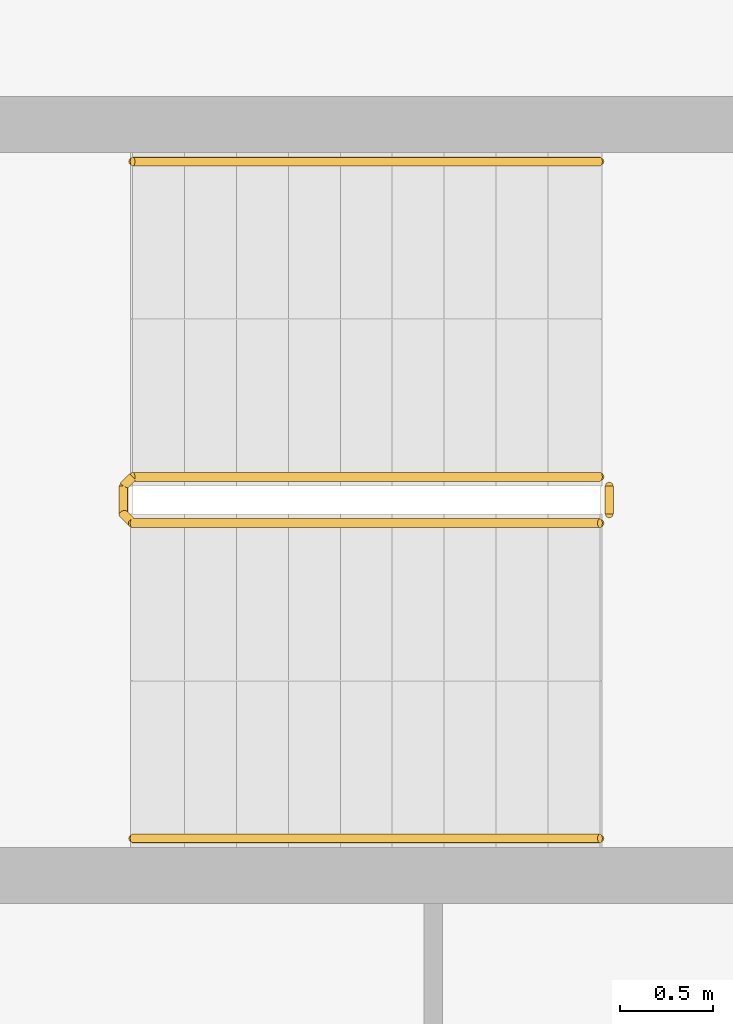
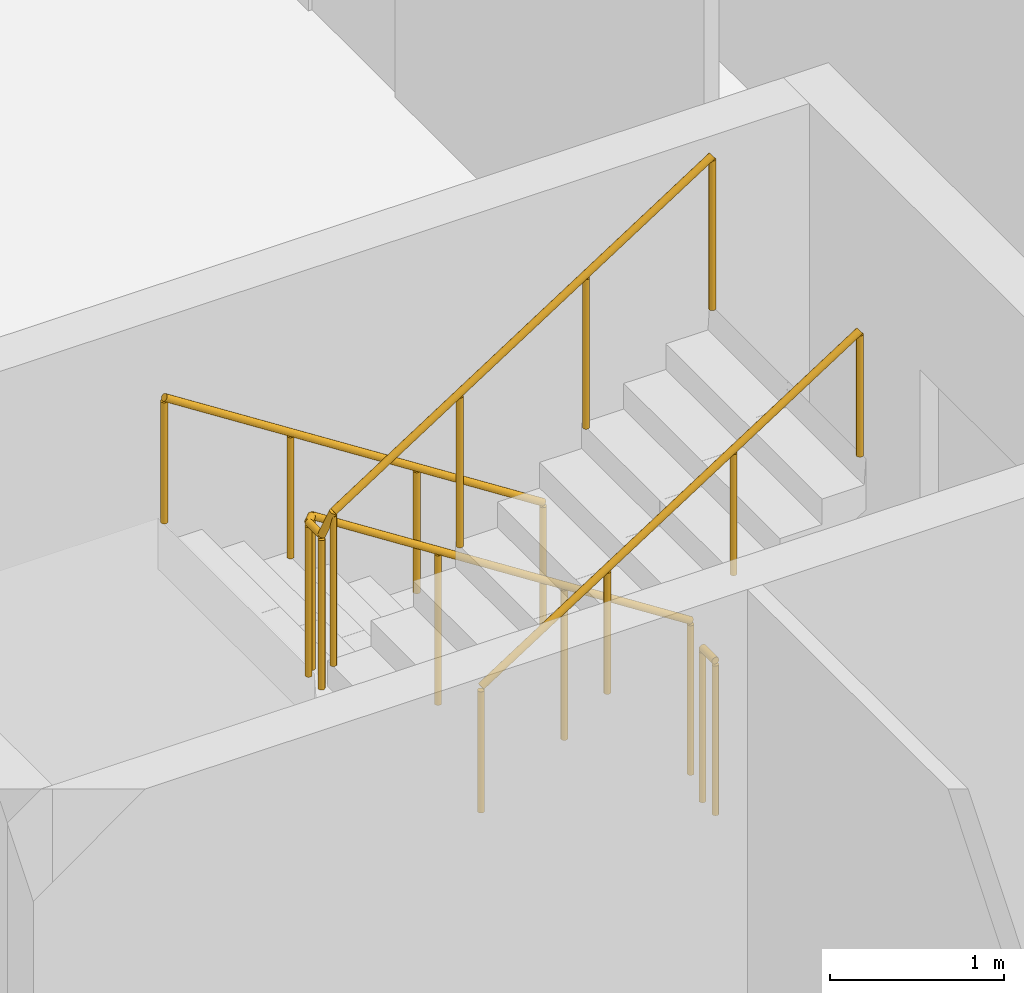
# One storey, part 21 of 24: 4 railings.
"""IFC4 building model written with IfcOpenShell, lengths in metres."""

import ifcopenshell
import ifcopenshell.guid

model = None  # the IFC model being written
_history = None  # IfcOwnerHistory: only IFC2X3 demands one
_inside = {}  # id of a spatial element -> (the spatial element, [elements in it])
_under = {}  # id of a project, library or spatial element -> (it, [spatial elements below it])
_declared = {}  # id of a project -> (the project, [libraries it declares])
_typed = {}  # id of a type object -> (the type object, [elements of that type])
_made_of = {}  # id of a material, layer set ... -> (it, [elements and type objects made of it])


def new_model(schema):
    """Start an empty IFC model of exactly this schema.

    Asked for "IFC4X3", IfcOpenShell would pick the latest addendum, in which some entities
    have other attributes; the version numbers below select the first issue.
    IFC2X3 requires an IfcOwnerHistory on every rooted entity: one is made here for all.
    """
    global model, _history
    if schema == "IFC4X3":
        model = ifcopenshell.file(schema_version=(4, 3, 0, 0))
    else:
        model = ifcopenshell.file(schema=schema)
    _inside.clear()
    _under.clear()
    _declared.clear()
    _typed.clear()
    _made_of.clear()
    _history = None
    if model.schema == "IFC2X3":
        org = make("IfcOrganization", Name="unknown")
        user = make(
            "IfcPersonAndOrganization",
            ThePerson=make("IfcPerson", FamilyName="unknown"),
            TheOrganization=org,
        )
        app = make(
            "IfcApplication",
            ApplicationDeveloper=org,
            Version="unknown",
            ApplicationFullName="unknown",
            ApplicationIdentifier="unknown",
        )
        _history = make(
            "IfcOwnerHistory",
            OwningUser=user,
            OwningApplication=app,
            ChangeAction="ADDED",
            CreationDate=0,
        )
    return model


def make(cls, **values):
    """One entity of the class cls with the attributes given. An attribute that is None is left unset."""
    return model.create_entity(
        cls, **{name: value for name, value in values.items() if value is not None}
    )


def rooted(cls, **values):
    """An entity with a GlobalId (a new one), such as an element, a storey or a relation."""
    return make(cls, GlobalId=ifcopenshell.guid.new(), OwnerHistory=_history, **values)


def si_unit(unit_type, name, prefix=None):
    """IfcSIUnit, for example si_unit("LENGTHUNIT", "METRE", prefix="MILLI")."""
    return make("IfcSIUnit", UnitType=unit_type, Prefix=prefix, Name=name)


def assignment(units):
    """IfcUnitAssignment: the units of a project."""
    return None if units is None else make("IfcUnitAssignment", Units=units)


def point(xyz):
    """IfcCartesianPoint."""
    return None if xyz is None else make("IfcCartesianPoint", Coordinates=xyz)


def direction(xyz):
    """IfcDirection."""
    return None if xyz is None else make("IfcDirection", DirectionRatios=xyz)


def frame(location, z_axis=None, x_axis=None):
    """IfcAxis2Placement3D, a coordinate frame: its origin and axes. An axis left out is left unset."""
    return make(
        "IfcAxis2Placement3D",
        Location=point(location),
        Axis=direction(z_axis),
        RefDirection=direction(x_axis),
    )


def frame_2d(location, x_axis=None):
    """IfcAxis2Placement2D, a coordinate frame in the plane: its origin and x axis."""
    return make(
        "IfcAxis2Placement2D", Location=point(location), RefDirection=direction(x_axis)
    )


def origin():
    """The frame at (0, 0, 0) with its axes left unset."""
    return frame((0.0, 0.0, 0.0))


def origin_2d():
    """The frame at (0, 0) in the plane with its x axis left unset."""
    return frame_2d((0.0, 0.0))


def place(relative_to, where):
    """IfcLocalPlacement: puts the frame where relative to a parent placement (None: the world)."""
    return make(
        "IfcLocalPlacement", PlacementRelTo=relative_to, RelativePlacement=where
    )


def context(
    kind, dimensions, precision=None, world=None, true_north=None, identifier=None
):
    """IfcGeometricRepresentationContext, for example the 3D "Model" context."""
    return make(
        "IfcGeometricRepresentationContext",
        ContextIdentifier=identifier,
        ContextType=kind,
        CoordinateSpaceDimension=dimensions,
        Precision=precision,
        WorldCoordinateSystem=world,
        TrueNorth=true_north,
    )


def subcontext(parent, identifier, kind, view, scale=None):
    """IfcGeometricRepresentationSubContext, for example "Body" below "Model"."""
    return make(
        "IfcGeometricRepresentationSubContext",
        ContextIdentifier=identifier,
        ContextType=kind,
        ParentContext=parent,
        TargetScale=scale,
        TargetView=view,
    )


def project(units=None, contexts=None):
    """IfcProject with its units and contexts."""
    return rooted(
        "IfcProject",
        Name="project",
        RepresentationContexts=contexts,
        UnitsInContext=assignment(units),
    )


def spatial(cls, under=None, at=None, **own):
    """A site, building, storey or space (cls), placed at a placement, below another one or the project."""
    s = rooted(cls, ObjectPlacement=at, **own)
    if under is not None:
        _under.setdefault(under.id(), (under, []))[1].append(s)
    return s


def profile(cls, at=None, kind="AREA", **sizes):
    """A parametric profile (cls). Its sizes go by their IFC names, for example OverallWidth=200.0."""
    return make(cls, ProfileType=kind, Position=at, **sizes)


def circle(**sizes):
    """IfcCircleProfileDef."""
    return profile("IfcCircleProfileDef", **sizes)


def extrude(swept, where, along, depth):
    """IfcExtrudedAreaSolid: the profile swept, set in the frame where, extruded along a direction by depth."""
    return make(
        "IfcExtrudedAreaSolid",
        SweptArea=swept,
        Position=where,
        ExtrudedDirection=direction(along),
        Depth=depth,
    )


def shape(context_of_items, identifier, shape_type, items):
    """IfcShapeRepresentation: the items that make up one representation, for example the "Body"."""
    return make(
        "IfcShapeRepresentation",
        ContextOfItems=context_of_items,
        RepresentationIdentifier=identifier,
        RepresentationType=shape_type,
        Items=items,
    )


def material(Name=None, Category=None):
    """IfcMaterial."""
    return make("IfcMaterial", Name=Name, Category=Category)


def made_of(thing, what):
    """Note that an element or type object is made of a material, layer set ...; save() writes the relation."""
    if what is not None:
        _made_of.setdefault(what.id(), (what, []))[1].append(thing)
    return thing


def type_object(cls, material=None, **own):
    """A type object (cls), such as IfcWallType, which elements share."""
    return made_of(rooted(cls, **own), material)


def element(
    cls,
    number,
    at=None,
    inside=None,
    cuts=None,
    type_object=None,
    material=None,
    context=None,
    identifier="Body",
    shape_type=None,
    held_by="IfcProductDefinitionShape",
    body=None,
    shapes=None,
    **own,
):
    """One element of the class cls, such as IfcWall. Its Tag is "e" and its number.

    at: its placement. inside: the storey or other place that contains it. cuts: it is an
    opening in that element (IfcRelVoidsElement). A single representation is given by context,
    identifier, shape_type and body (its items); several are given by shapes. held_by: the class
    of the entity that holds the representations. save() writes the other relations.
    """
    e = rooted(cls, Tag="e%d" % number, ObjectPlacement=at, **own)
    if body is not None:
        shapes = [shape(context, identifier, shape_type, body)]
    if shapes is not None:
        e.Representation = make(held_by, Representations=shapes)
    if inside is not None:
        _inside.setdefault(inside.id(), (inside, []))[1].append(e)
    if cuts is not None:
        rooted(
            "IfcRelVoidsElement", RelatingBuildingElement=cuts, RelatedOpeningElement=e
        )
    if type_object is not None:
        _typed.setdefault(type_object.id(), (type_object, []))[1].append(e)
    return made_of(e, material)


def aggregate(whole, parts):
    """IfcRelAggregates: a whole, such as a stair, and the parts it consists of."""
    return rooted("IfcRelAggregates", RelatingObject=whole, RelatedObjects=parts)


def save(model, path):
    """Write the relations noted so far, then the file.

    IfcRelAggregates (storeys below a building ...), IfcRelContainedInSpatialStructure (elements
    in a storey), IfcRelDefinesByType, IfcRelAssociatesMaterial and IfcRelDeclares: one each for
    every whole, place, type object, material and project.
    """
    for whole, parts in _under.values():
        aggregate(whole, parts)
    for where, things in _inside.values():
        rooted(
            "IfcRelContainedInSpatialStructure",
            RelatedElements=things,
            RelatingStructure=where,
        )
    for kind, things in _typed.values():
        rooted("IfcRelDefinesByType", RelatedObjects=things, RelatingType=kind)
    for what, things in _made_of.values():
        rooted("IfcRelAssociatesMaterial", RelatedObjects=things, RelatingMaterial=what)
    for by, libraries in _declared.values():
        rooted("IfcRelDeclares", RelatingContext=by, RelatedDefinitions=libraries)
    model.write(path)


model = new_model("IFC4")

# Units and contexts
model_context = context("Model", 3, precision=1e-05, world=origin(), true_north=direction((0.0, 1.0)))
body_context = subcontext(model_context, "Body", "Model", "MODEL_VIEW")
ifc_project = project(units=[si_unit("LENGTHUNIT", "METRE"), si_unit("AREAUNIT", "SQUARE_METRE"), si_unit("VOLUMEUNIT", "CUBIC_METRE"), si_unit("PLANEANGLEUNIT", "RADIAN"), si_unit("MASSUNIT", "GRAM", prefix="KILO")], contexts=[model_context])

# Site, building, storey
site_placement = place(None, origin())
site = spatial("IfcSite", under=ifc_project, at=site_placement, CompositionType="ELEMENT")
building_placement = place(site_placement, origin())
building = spatial("IfcBuilding", under=site, at=building_placement, Name="Wharfspan Tower", CompositionType="ELEMENT")
storey_placement = place(building_placement, frame((0.0, 0.0, 41.5)))
storey = spatial("IfcBuildingStorey", under=building, at=storey_placement, Name="L06", CompositionType="ELEMENT", Elevation=41.5)

# Railings
ifc_material = material(Name="Steel S355J2", Category="steel")
railing_type_1 = type_object("IfcRailingType", Name="Stair guard 1100", PredefinedType="GUARDRAIL", material=ifc_material)
railing_1_placement = place(storey_placement, frame((6.899902, 22.625, 0.179932)))
element("IfcRailing", 1, at=railing_1_placement, inside=storey, type_object=railing_type_1, Name="L06 ST3 stair guard 1", PredefinedType="GUARDRAIL", context=body_context, shape_type="SweptSolid", body=[
    extrude(circle(Radius=0.023926, at=origin_2d()), frame((0.0, 0.0, 1.076172), z_axis=(-0.841163, 0.0, 0.540782), x_axis=(0.0, -1.0, 0.0)), (0.0, 0.0, 1.0), 2.99585),
    extrude(circle(Radius=0.023926, at=origin_2d()), frame((-2.52002, 0.0, 2.696289), z_axis=(-0.705376, -0.708834, 0.0), x_axis=(0.708834, -0.705376, 0.0)), (0.0, 0.0, 1.0), 0.070557),
    extrude(circle(Radius=0.023926, at=origin_2d()), frame((-2.569824, -0.050049, 2.696289), z_axis=(0.0, -1.0, 0.0), x_axis=(1.0, 0.0, 0.0)), (0.0, 0.0, 1.0), 0.149902),
    extrude(circle(Radius=0.023926, at=origin_2d()), frame((-2.569824, -0.199951, 2.696289), z_axis=(0.257669, -0.258932, 0.930892), x_axis=(0.708833, 0.705372, -1e-06)), (0.0, 0.0, 1.0), 0.193359),
    extrude(circle(Radius=0.023926, at=origin_2d()), frame((-2.52002, -0.25, 2.875977), z_axis=(0.841163, 0.0, 0.540782), x_axis=(0.0, 1.0, 0.0)), (0.0, 0.0, 1.0), 2.99585),
    extrude(circle(Radius=0.020996, at=origin_2d()), origin(), (0.0, 0.0, 1.0), 1.052002),
    extrude(circle(Radius=0.020996, at=origin_2d()), frame((-0.840088, 0.0, 0.540039)), (0.0, 0.0, 1.0), 1.052002),
    extrude(circle(Radius=0.020996, at=origin_2d()), frame((-1.679932, 0.0, 1.080078)), (0.0, 0.0, 1.0), 1.052002),
    extrude(circle(Radius=0.020996, at=origin_2d()), frame((-2.52002, 0.0, 1.620117)), (0.0, 0.0, 1.0), 1.052002),
    extrude(circle(Radius=0.020996, at=origin_2d()), frame((-2.569824, -0.050049, 1.620117)), (0.0, 0.0, 1.0), 1.052002),
    extrude(circle(Radius=0.020996, at=origin_2d()), frame((-2.569824, -0.199951, 1.620117)), (0.0, 0.0, 1.0), 1.052002),
    extrude(circle(Radius=0.020996, at=origin_2d()), frame((-2.52002, -0.25, 1.800049)), (0.0, 0.0, 1.0), 1.052002),
    extrude(circle(Radius=0.020996, at=origin_2d()), frame((-1.679932, -0.25, 2.340088)), (0.0, 0.0, 1.0), 1.052002),
    extrude(circle(Radius=0.020996, at=origin_2d()), frame((-0.840088, -0.25, 2.880127)), (0.0, 0.0, 1.0), 1.052002),
    extrude(circle(Radius=0.020996, at=origin_2d()), frame((0.0, -0.25, 3.420166)), (0.0, 0.0, 1.0), 1.052002),
])
railing_2_placement = place(storey_placement, frame((6.949951, 22.574951, 0.0)))
element("IfcRailing", 2, at=railing_2_placement, inside=storey, type_object=railing_type_1, Name="L06 ST3 stair guard 2", PredefinedType="GUARDRAIL", context=body_context, shape_type="SweptSolid", body=[
    extrude(circle(Radius=0.023926, at=origin_2d()), frame((0.0, 0.0, 1.076172), z_axis=(0.0, -1.0, 0.0), x_axis=(1.0, 0.0, 0.0)), (0.0, 0.0, 1.0), 0.149902),
    extrude(circle(Radius=0.020996, at=origin_2d()), origin(), (0.0, 0.0, 1.0), 1.052002),
    extrude(circle(Radius=0.020996, at=origin_2d()), frame((0.0, -0.149902, 0.0)), (0.0, 0.0, 1.0), 1.052002),
])
railing_type_2 = type_object("IfcRailingType", Name="Stair handrail 900", PredefinedType="HANDRAIL", material=ifc_material)
railing_3_placement = place(storey_placement, frame((6.899902, 24.324951, 0.179932)))
element("IfcRailing", 3, at=railing_3_placement, inside=storey, type_object=railing_type_2, Name="L06 ST3 stair handrail 1", PredefinedType="HANDRAIL", context=body_context, shape_type="SweptSolid", body=[
    extrude(circle(Radius=0.023926, at=origin_2d()), frame((0.0, 0.0, 0.875977), z_axis=(-0.841163, 0.0, 0.540782), x_axis=(0.0, -1.0, 0.0)), (0.0, 0.0, 1.0), 2.99585),
    extrude(circle(Radius=0.020996, at=origin_2d()), origin(), (0.0, 0.0, 1.0), 0.851807),
    extrude(circle(Radius=0.020996, at=origin_2d()), frame((-0.840088, 0.0, 0.540039)), (0.0, 0.0, 1.0), 0.851807),
    extrude(circle(Radius=0.020996, at=origin_2d()), frame((-1.679932, 0.0, 1.080078)), (0.0, 0.0, 1.0), 0.851807),
    extrude(circle(Radius=0.020996, at=origin_2d()), frame((-2.52002, 0.0, 1.620117)), (0.0, 0.0, 1.0), 0.851807),
])
railing_4_placement = place(storey_placement, frame((4.379883, 20.675049, 1.97998)))
element("IfcRailing", 4, at=railing_4_placement, inside=storey, type_object=railing_type_2, Name="L06 ST3 stair handrail 2", PredefinedType="HANDRAIL", context=body_context, shape_type="SweptSolid", body=[
    extrude(circle(Radius=0.023926, at=origin_2d()), frame((0.0, 0.0, 0.875977), z_axis=(0.841163, 0.0, 0.540782), x_axis=(0.0, 1.0, 0.0)), (0.0, 0.0, 1.0), 2.99585),
    extrude(circle(Radius=0.020996, at=origin_2d()), origin(), (0.0, 0.0, 1.0), 0.851807),
    extrude(circle(Radius=0.020996, at=origin_2d()), frame((0.840088, 0.0, 0.540039)), (0.0, 0.0, 1.0), 0.851807),
    extrude(circle(Radius=0.020996, at=origin_2d()), frame((1.679932, 0.0, 1.080078)), (0.0, 0.0, 1.0), 0.851807),
    extrude(circle(Radius=0.020996, at=origin_2d()), frame((2.52002, 0.0, 1.620117)), (0.0, 0.0, 1.0), 0.851807),
])

save(model, "model.ifc")
